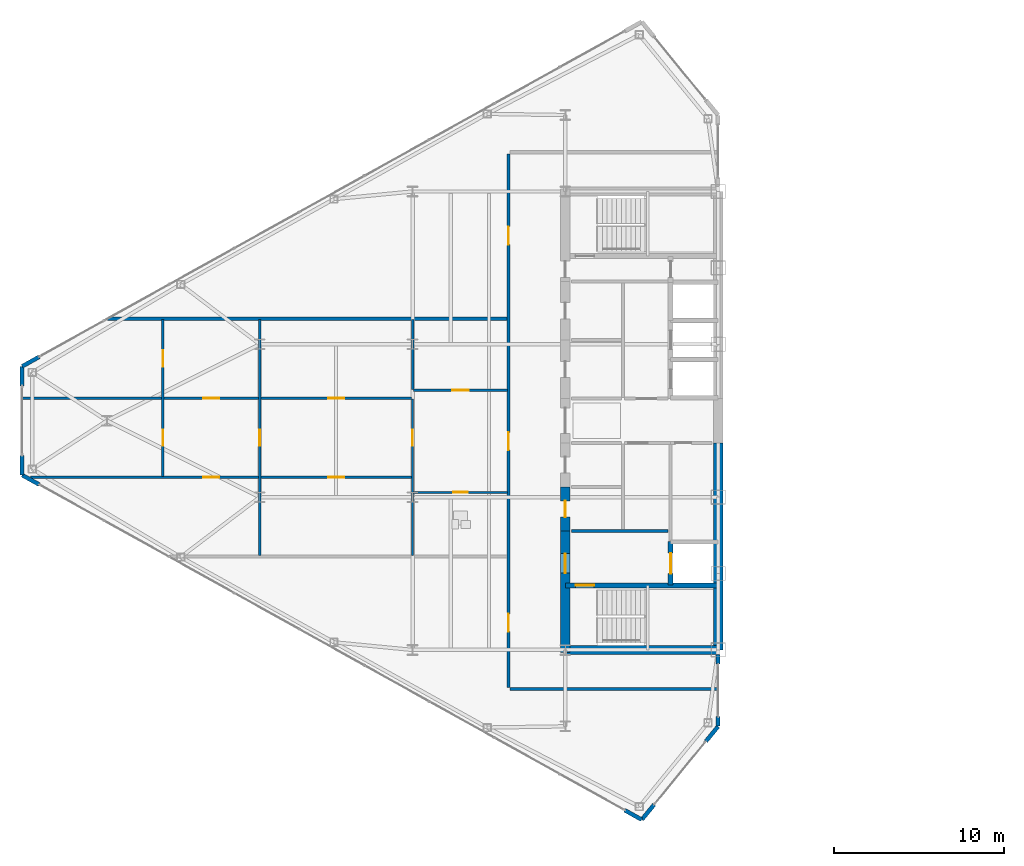
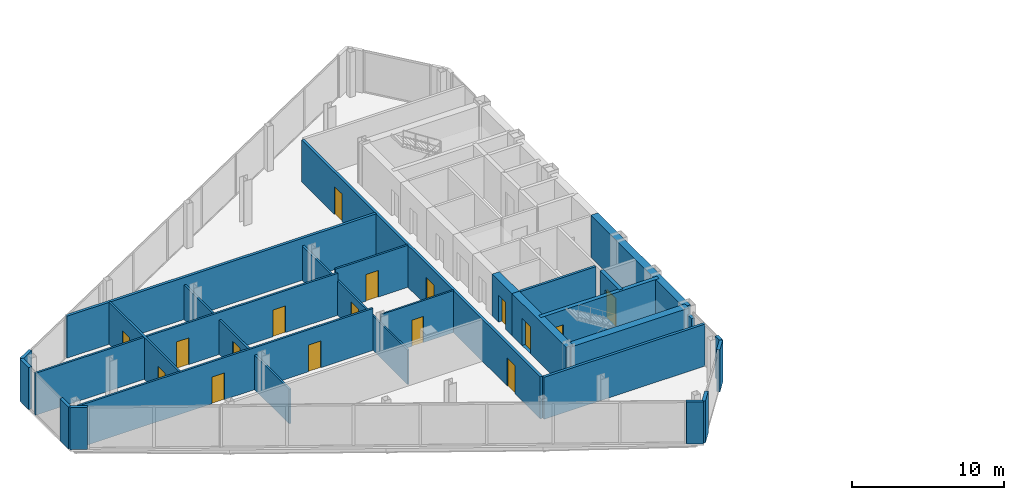
# One storey, part 19 of 26: 27 walls, 17 doors, 17 openings.
"""IFC4 building model written with IfcOpenShell, lengths in metres."""

from ifc_helpers import new_model, si_unit, direction, frame, frame_2d, origin, place, context, subcontext, project, spatial, rectangle, extrude, source, transform, mapped, material, layer, layer_set, type_object, type_shapes, element, fill, save


model = new_model("IFC4")

# Units and contexts
model_context = context("Model", 3, precision=1e-05, world=origin(), true_north=direction((0.0, 1.0)))
body_context = subcontext(model_context, "Body", "Model", "MODEL_VIEW")
ifc_project = project(units=[si_unit("LENGTHUNIT", "METRE"), si_unit("AREAUNIT", "SQUARE_METRE"), si_unit("VOLUMEUNIT", "CUBIC_METRE"), si_unit("PLANEANGLEUNIT", "RADIAN"), si_unit("MASSUNIT", "GRAM", prefix="KILO")], contexts=[model_context])

# Site, building, storey
site_placement = place(None, origin())
site = spatial("IfcSite", under=ifc_project, at=site_placement, CompositionType="ELEMENT")
building_placement = place(site_placement, origin())
building = spatial("IfcBuilding", under=site, at=building_placement, Name="Seokmaru Belvedere", CompositionType="ELEMENT")
storey_placement = place(building_placement, frame((0.0, 0.0, 167.10009765625)))
storey = spatial("IfcBuildingStorey", under=building, at=storey_placement, Name="L44", CompositionType="ELEMENT", Elevation=167.10009765625)

# Wall, openings, doors
ifc_material_1 = material(Name="Fire-Rated Gypsum Shaftwall")
ifc_layer_1 = layer(ifc_material_1, 0.14990234375)
ifc_layer_set_1 = layer_set([ifc_layer_1], Name="Fire-Rated Gypsum Shaftwall")
wall_type_1 = type_object("IfcWallType", Name="Apartment Fire-Acoustic Room Partition 150", PredefinedType="PARTITIONING", material=ifc_layer_set_1)
wall_1_placement = place(storey_placement, frame((-68.00927734375, -3.330078125, 0.0), z_axis=(0.0, 0.0, 1.0), x_axis=(1.0, 0.0, 0.0)))
wall_1 = element("IfcWall", 1, at=wall_1_placement, inside=storey, type_object=wall_type_1, Name="L44 Interior Partition 010", PredefinedType="PARTITIONING", context=body_context, shape_type="SweptSolid", body=[
    extrude(rectangle(XDim=22.459228515625, YDim=0.14990234375, at=frame_2d((11.2294921875, 0.0))), origin(), (0.0, 0.0, 1.0), 3.3798828125),
])
opening_1_placement = place(wall_1_placement, frame((17.5341796875, 0.0, 0.0)))
opening_1 = element("IfcOpeningElement", 2, at=opening_1_placement, cuts=wall_1, Name="Opening D05", PredefinedType="OPENING", context=body_context, shape_type="SweptSolid", body=[
    extrude(rectangle(XDim=0.949951171875, YDim=2.14990234375, at=frame_2d((0.47509765625, 1.074951171875))), frame((0.0, 0.0849609375, 0.0), z_axis=(0.0, -1.0, 0.0), x_axis=(1.0, 0.0, 0.0)), (0.0, 0.0, 1.0), 0.169921875),
])
opening_2_placement = place(wall_1_placement, frame((10.18408203125, 0.0, 0.0)))
opening_2 = element("IfcOpeningElement", 3, at=opening_2_placement, cuts=wall_1, Name="Opening D05", PredefinedType="OPENING", context=body_context, shape_type="SweptSolid", body=[
    extrude(rectangle(XDim=0.949951171875, YDim=2.14990234375, at=frame_2d((0.47509765625, 1.074951171875))), frame((0.0, 0.0849609375, 0.0), z_axis=(0.0, -1.0, 0.0), x_axis=(1.0, 0.0, 0.0)), (0.0, 0.0, 1.0), 0.169921875),
])
ifc_material_2 = material(Name="Engineered White Oak Timber", Category="wood")
door_type_1 = type_object("IfcDoorType", Name="Apartment Interior Fire-Rated Oak Door 950x2150", OperationType="NOTDEFINED", PredefinedType="DOOR", material=ifc_material_2)
shared_shape_1 = source(origin(), body_context, "Body", "SweptSolid", [
    extrude(rectangle(XDim=0.949951171875, YDim=2.14990234375, at=frame_2d((0.47509765625, 1.074951171875))), frame((0.0, 0.02490234375, 0.0), z_axis=(0.0, -1.0, 0.0), x_axis=(1.0, 0.0, 0.0)), (0.0, 0.0, 1.0), 0.050048828125),
])
type_shapes(door_type_1, [shared_shape_1])
door_1_placement = place(opening_1_placement, origin())
door_1 = element("IfcDoor", 4, at=door_1_placement, inside=storey, type_object=door_type_1, Name="L44 Interior Door 007", OperationType="SINGLE_SWING_LEFT", OverallHeight=2.14990234375, OverallWidth=0.949951171875, PredefinedType="DOOR", context=body_context, shape_type="MappedRepresentation", body=[
    mapped(shared_shape_1, transform((0.0, 0.0, 0.0), scale=1.0)),
])
fill(opening_1, door_1)
door_2_placement = place(opening_2_placement, origin())
door_2 = element("IfcDoor", 5, at=door_2_placement, inside=storey, type_object=door_type_1, Name="L44 Interior Door 009", OperationType="SINGLE_SWING_LEFT", OverallHeight=2.14990234375, OverallWidth=0.949951171875, PredefinedType="DOOR", context=body_context, shape_type="MappedRepresentation", body=[
    mapped(shared_shape_1, transform((0.0, 0.0, 0.0), scale=1.0)),
])
fill(opening_2, door_2)

wall_2_placement = place(storey_placement, frame((-68.534912109375, 1.330078125, 0.0), z_axis=(0.0, 0.0, 1.0), x_axis=(1.0, 0.0, 0.0)))
wall_2 = element("IfcWall", 6, at=wall_2_placement, inside=storey, type_object=wall_type_1, Name="L44 Interior Partition 013", PredefinedType="PARTITIONING", context=body_context, shape_type="SweptSolid", body=[
    extrude(rectangle(XDim=22.98486328125, YDim=0.14990234375, at=frame_2d((11.492431640625, 0.0))), origin(), (0.0, 0.0, 1.0), 3.3798828125),
])
opening_3_placement = place(wall_2_placement, frame((18.06005859375, 0.0, 0.0)))
opening_3 = element("IfcOpeningElement", 7, at=opening_3_placement, cuts=wall_2, Name="Opening D05", PredefinedType="OPENING", context=body_context, shape_type="SweptSolid", body=[
    extrude(rectangle(XDim=0.949951171875, YDim=2.14990234375, at=frame_2d((0.47509765625, 1.074951171875))), frame((0.0, 0.0849609375, 0.0), z_axis=(0.0, -1.0, 0.0), x_axis=(1.0, 0.0, 0.0)), (0.0, 0.0, 1.0), 0.169921875),
])
opening_4_placement = place(wall_2_placement, frame((10.7099609375, 0.0, 0.0)))
opening_4 = element("IfcOpeningElement", 8, at=opening_4_placement, cuts=wall_2, Name="Opening D05", PredefinedType="OPENING", context=body_context, shape_type="SweptSolid", body=[
    extrude(rectangle(XDim=0.949951171875, YDim=2.14990234375, at=frame_2d((0.47509765625, 1.074951171875))), frame((0.0, 0.0849609375, 0.0), z_axis=(0.0, -1.0, 0.0), x_axis=(1.0, 0.0, 0.0)), (0.0, 0.0, 1.0), 0.169921875),
])
door_3_placement = place(opening_3_placement, origin())
door_3 = element("IfcDoor", 9, at=door_3_placement, inside=storey, type_object=door_type_1, Name="L44 Interior Door 008", OperationType="SINGLE_SWING_RIGHT", OverallHeight=2.14990234375, OverallWidth=0.949951171875, PredefinedType="DOOR", context=body_context, shape_type="MappedRepresentation", body=[
    mapped(shared_shape_1, transform((0.0, 0.0, 0.0), scale=1.0)),
])
fill(opening_3, door_3)
door_4_placement = place(opening_4_placement, origin())
door_4 = element("IfcDoor", 10, at=door_4_placement, inside=storey, type_object=door_type_1, Name="L44 Interior Door 011", OperationType="SINGLE_SWING_LEFT", OverallHeight=2.14990234375, OverallWidth=0.949951171875, PredefinedType="DOOR", context=body_context, shape_type="MappedRepresentation", body=[
    mapped(shared_shape_1, transform((0.0, 0.0, 0.0), scale=1.0)),
])
fill(opening_4, door_4)

# Wall, opening, door
wall_3_placement = place(storey_placement, frame((-45.449951171875, 1.800048828125, 0.0), z_axis=(0.0, 0.0, 1.0), x_axis=(1.0, 0.0, 0.0)))
wall_3 = element("IfcWall", 11, at=wall_3_placement, inside=storey, type_object=wall_type_1, Name="L44 Interior Partition 014", PredefinedType="PARTITIONING", context=body_context, shape_type="SweptSolid", body=[
    extrude(rectangle(XDim=5.550048828125, YDim=0.14990234375, at=frame_2d((2.77490234375, 0.0))), origin(), (0.0, 0.0, 1.0), 3.3798828125),
])
opening_5_placement = place(wall_3_placement, frame((2.300048828125, 0.0, 0.0)))
opening_5 = element("IfcOpeningElement", 12, at=opening_5_placement, cuts=wall_3, Name="Opening D05", PredefinedType="OPENING", context=body_context, shape_type="SweptSolid", body=[
    extrude(rectangle(XDim=0.949951171875, YDim=2.14990234375, at=frame_2d((0.47509765625, 1.074951171875))), frame((0.0, 0.0849609375, 0.0), z_axis=(0.0, -1.0, 0.0), x_axis=(1.0, 0.0, 0.0)), (0.0, 0.0, 1.0), 0.169921875),
])
door_5_placement = place(opening_5_placement, origin())
door_5 = element("IfcDoor", 13, at=door_5_placement, inside=storey, type_object=door_type_1, Name="L44 Interior Door 004", OperationType="SINGLE_SWING_LEFT", OverallHeight=2.14990234375, OverallWidth=0.949951171875, PredefinedType="DOOR", context=body_context, shape_type="MappedRepresentation", body=[
    mapped(shared_shape_1, transform((0.0, 0.0, 0.0), scale=1.0)),
])
fill(opening_5, door_5)

# Wall, openings, doors
wall_4_placement = place(storey_placement, frame((-60.199951171875, -3.282958984375, 0.0), z_axis=(0.0, 0.0, 1.0), x_axis=(0.0, 1.0, 0.0)))
wall_4 = element("IfcWall", 14, at=wall_4_placement, inside=storey, type_object=wall_type_1, Name="L44 Interior Partition 021", PredefinedType="PARTITIONING", context=body_context, shape_type="SweptSolid", body=[
    extrude(rectangle(XDim=9.23291015625, YDim=0.14990234375, at=frame_2d((4.616455078125, 0.0))), origin(), (0.0, 0.0, 1.0), 3.3798828125),
])
opening_6_placement = place(wall_4_placement, frame((1.80810546875, 0.0, 0.0)))
opening_6 = element("IfcOpeningElement", 15, at=opening_6_placement, cuts=wall_4, Name="Opening D05", PredefinedType="OPENING", context=body_context, shape_type="SweptSolid", body=[
    extrude(rectangle(XDim=0.949951171875, YDim=2.14990234375, at=frame_2d((0.47509765625, 1.074951171875))), frame((0.0, 0.0849609375, 0.0), z_axis=(0.0, -1.0, 0.0), x_axis=(1.0, 0.0, 0.0)), (0.0, 0.0, 1.0), 0.169921875),
])
opening_7_placement = place(wall_4_placement, frame((6.474609375, 0.0, 0.0)))
opening_7 = element("IfcOpeningElement", 16, at=opening_7_placement, cuts=wall_4, Name="Opening D05", PredefinedType="OPENING", context=body_context, shape_type="SweptSolid", body=[
    extrude(rectangle(XDim=0.949951171875, YDim=2.14990234375, at=frame_2d((0.47509765625, 1.074951171875))), frame((0.0, 0.0849609375, 0.0), z_axis=(0.0, -1.0, 0.0), x_axis=(1.0, 0.0, 0.0)), (0.0, 0.0, 1.0), 0.169921875),
])
door_6_placement = place(opening_6_placement, origin())
door_6 = element("IfcDoor", 17, at=door_6_placement, inside=storey, type_object=door_type_1, Name="L44 Interior Door 010", OperationType="SINGLE_SWING_RIGHT", OverallHeight=2.14990234375, OverallWidth=0.949951171875, PredefinedType="DOOR", context=body_context, shape_type="MappedRepresentation", body=[
    mapped(shared_shape_1, transform((0.0, 0.0, 0.0), scale=1.0)),
])
fill(opening_6, door_6)
door_7_placement = place(opening_7_placement, origin())
door_7 = element("IfcDoor", 18, at=door_7_placement, inside=storey, type_object=door_type_1, Name="L44 Interior Door 012", OperationType="SINGLE_SWING_RIGHT", OverallHeight=2.14990234375, OverallWidth=0.949951171875, PredefinedType="DOOR", context=body_context, shape_type="MappedRepresentation", body=[
    mapped(shared_shape_1, transform((0.0, 0.0, 0.0), scale=1.0)),
])
fill(opening_7, door_7)

# Wall, opening, door
wall_5_placement = place(storey_placement, frame((-54.5, -7.949951171875, 0.0), z_axis=(0.0, 0.0, 1.0), x_axis=(0.0, 1.0, 0.0)))
wall_5 = element("IfcWall", 19, at=wall_5_placement, inside=storey, type_object=wall_type_1, Name="L44 Interior Partition 022", PredefinedType="PARTITIONING", context=body_context, shape_type="SweptSolid", body=[
    extrude(rectangle(XDim=13.89990234375, YDim=0.14990234375, at=frame_2d((6.949951171875, 0.0))), origin(), (0.0, 0.0, 1.0), 2.77978515625),
])
opening_8_placement = place(wall_5_placement, frame((6.47509765625, 0.0, 0.0)))
opening_8 = element("IfcOpeningElement", 20, at=opening_8_placement, cuts=wall_5, Name="Opening D05", PredefinedType="OPENING", context=body_context, shape_type="SweptSolid", body=[
    extrude(rectangle(XDim=0.949951171875, YDim=2.14990234375, at=frame_2d((0.47509765625, 1.074951171875))), frame((0.0, 0.0849609375, 0.0), z_axis=(0.0, -1.0, 0.0), x_axis=(1.0, 0.0, 0.0)), (0.0, 0.0, 1.0), 0.169921875),
])
door_8_placement = place(opening_8_placement, origin())
door_8 = element("IfcDoor", 21, at=door_8_placement, inside=storey, type_object=door_type_1, Name="L44 Interior Door 006", OperationType="SINGLE_SWING_RIGHT", OverallHeight=2.14990234375, OverallWidth=0.949951171875, PredefinedType="DOOR", context=body_context, shape_type="MappedRepresentation", body=[
    mapped(shared_shape_1, transform((0.0, 0.0, 0.0), scale=1.0)),
])
fill(opening_8, door_8)

# Walls
wall_6_placement = place(storey_placement, frame((-45.5, 1.85205078125, 0.0), z_axis=(0.0, 0.0, 1.0), x_axis=(0.0, 1.0, 0.0)))
element("IfcWall", 22, at=wall_6_placement, inside=storey, type_object=wall_type_1, Name="L44 Interior Partition 024", PredefinedType="PARTITIONING", context=body_context, shape_type="SweptSolid", body=[
    extrude(rectangle(XDim=4.097900390625, YDim=0.14990234375, at=frame_2d((2.048828125, 0.0))), origin(), (0.0, 0.0, 1.0), 2.77978515625),
])
ifc_layer_2 = layer(ifc_material_1, 0.179931640625)
ifc_layer_set_2 = layer_set([ifc_layer_2], Name="Fire-Rated Gypsum Shaftwall")
wall_type_2 = type_object("IfcWallType", Name="Core Service Fire Partition 180", PredefinedType="PARTITIONING", material=ifc_layer_set_2)
wall_7_placement = place(storey_placement, frame((-36.14990234375, -6.5, 0.0), z_axis=(0.0, 0.0, 1.0), x_axis=(1.0, 0.0, 0.0)))
element("IfcWall", 23, at=wall_7_placement, inside=storey, type_object=wall_type_2, Name="L44 West Firefighting Lobby Partition", PredefinedType="PARTITIONING", context=body_context, shape_type="SweptSolid", body=[
    extrude(rectangle(XDim=5.699951171875, YDim=0.179931640625, at=frame_2d((2.85009765625, 0.0))), origin(), (0.0, 0.0, 1.0), 3.3798828125),
])
ifc_layer_3 = layer(ifc_material_1, 0.199951171875)
ifc_layer_set_3 = layer_set([ifc_layer_3], Name="Fire-Rated Gypsum Shaftwall")
wall_type_3 = type_object("IfcWallType", Name="Inter-Tenancy Fire Compartment Partition 200", PredefinedType="PARTITIONING", material=ifc_layer_set_3)
wall_8_placement = place(storey_placement, frame((-39.764892578125, -15.800048828125, 0.0), z_axis=(0.0, 0.0, 1.0), x_axis=(1.0, 0.0, 0.0)))
element("IfcWall", 24, at=wall_8_placement, inside=storey, type_object=wall_type_3, Name="L44 Interior Partition 001", PredefinedType="PARTITIONING", context=body_context, shape_type="SweptSolid", body=[
    extrude(rectangle(XDim=12.264892578125, YDim=0.199951171875, at=frame_2d((6.13232421875, 0.0))), origin(), (0.0, 0.0, 1.0), 3.3798828125),
])
wall_9_placement = place(storey_placement, frame((-63.47607421875, 6.0, 0.0), z_axis=(0.0, 0.0, 1.0), x_axis=(1.0, 0.0, 0.0)))
element("IfcWall", 25, at=wall_9_placement, inside=storey, type_object=wall_type_3, Name="L44 Interior Partition 017", PredefinedType="PARTITIONING", context=body_context, shape_type="SweptSolid", body=[
    extrude(rectangle(XDim=23.546142578125, YDim=0.199951171875, at=frame_2d((11.77294921875, 0.0))), origin(), (0.0, 0.0, 1.0), 3.3798828125),
])

# Wall, openings, doors
wall_10_placement = place(storey_placement, frame((-39.85009765625, -15.715087890625, 0.0), z_axis=(0.0, 0.0, 1.0), x_axis=(0.0, 1.0, 0.0)))
wall_10 = element("IfcWall", 26, at=wall_10_placement, inside=storey, type_object=wall_type_3, Name="L44 Interior Partition 025", PredefinedType="PARTITIONING", context=body_context, shape_type="SweptSolid", body=[
    extrude(rectangle(XDim=31.43017578125, YDim=0.199951171875, at=frame_2d((15.715087890625, 0.0))), origin(), (0.0, 0.0, 1.0), 3.3798828125),
])
opening_9_placement = place(wall_10_placement, frame((3.2900390625, 0.0, 0.0)))
opening_9 = element("IfcOpeningElement", 27, at=opening_9_placement, cuts=wall_10, Name="Opening D03", PredefinedType="OPENING", context=body_context, shape_type="SweptSolid", body=[
    extrude(rectangle(XDim=1.050048828125, YDim=2.25, at=frame_2d((0.52490234375, 1.125))), frame((0.0, 0.10986328125, 0.0), z_axis=(0.0, -1.0, 0.0), x_axis=(1.0, 0.0, 0.0)), (0.0, 0.0, 1.0), 0.219970703125),
])
opening_10_placement = place(wall_10_placement, frame((13.97998046875, 0.0, 0.0)))
opening_10 = element("IfcOpeningElement", 28, at=opening_10_placement, cuts=wall_10, Name="Opening D03", PredefinedType="OPENING", context=body_context, shape_type="SweptSolid", body=[
    extrude(rectangle(XDim=1.050048828125, YDim=2.25, at=frame_2d((0.52490234375, 1.125))), frame((0.0, 0.10986328125, 0.0), z_axis=(0.0, -1.0, 0.0), x_axis=(1.0, 0.0, 0.0)), (0.0, 0.0, 1.0), 0.219970703125),
])
opening_11_placement = place(wall_10_placement, frame((26.090087890625, 0.0, 0.0)))
opening_11 = element("IfcOpeningElement", 29, at=opening_11_placement, cuts=wall_10, Name="Opening D03", PredefinedType="OPENING", context=body_context, shape_type="SweptSolid", body=[
    extrude(rectangle(XDim=1.050048828125, YDim=2.25, at=frame_2d((0.52490234375, 1.125))), frame((0.0, 0.10986328125, 0.0), z_axis=(0.0, -1.0, 0.0), x_axis=(1.0, 0.0, 0.0)), (0.0, 0.0, 1.0), 0.219970703125),
])
ifc_material_3 = material(Name="Fire-Rated Steel Leaf", Category="steel")
door_type_2 = type_object("IfcDoorType", Name="Apartment Entrance Fire Door 1050x2250", OperationType="NOTDEFINED", PredefinedType="DOOR", material=ifc_material_3)
shared_shape_2 = source(origin(), body_context, "Body", "SweptSolid", [
    extrude(rectangle(XDim=1.050048828125, YDim=2.25, at=frame_2d((0.52490234375, 1.125))), frame((0.0, 0.02490234375, 0.0), z_axis=(0.0, -1.0, 0.0), x_axis=(1.0, 0.0, 0.0)), (0.0, 0.0, 1.0), 0.050048828125),
])
type_shapes(door_type_2, [shared_shape_2])
door_9_placement = place(opening_9_placement, origin())
door_9 = element("IfcDoor", 30, at=door_9_placement, inside=storey, type_object=door_type_2, Name="L44 Interior Door 001", OperationType="SINGLE_SWING_RIGHT", OverallHeight=2.25, OverallWidth=1.050048828125, PredefinedType="DOOR", context=body_context, shape_type="MappedRepresentation", body=[
    mapped(shared_shape_2, transform((0.0, 0.0, 0.0), scale=1.0)),
])
fill(opening_9, door_9)
door_10_placement = place(opening_10_placement, origin())
door_10 = element("IfcDoor", 31, at=door_10_placement, inside=storey, type_object=door_type_2, Name="L44 Interior Door 002", OperationType="SINGLE_SWING_LEFT", OverallHeight=2.25, OverallWidth=1.050048828125, PredefinedType="DOOR", context=body_context, shape_type="MappedRepresentation", body=[
    mapped(shared_shape_2, transform((0.0, 0.0, 0.0), scale=1.0)),
])
fill(opening_10, door_10)
door_11_placement = place(opening_11_placement, origin())
door_11 = element("IfcDoor", 32, at=door_11_placement, inside=storey, type_object=door_type_2, Name="L44 Interior Door 013", OperationType="SINGLE_SWING_RIGHT", OverallHeight=2.25, OverallWidth=1.050048828125, PredefinedType="DOOR", context=body_context, shape_type="MappedRepresentation", body=[
    mapped(shared_shape_2, transform((0.0, 0.0, 0.0), scale=1.0)),
])
fill(opening_11, door_11)

# Wall, opening, door
ifc_material_4 = material(Name="Concrete C50 (50 MPa)", Category="concrete")
ifc_layer_4 = layer(ifc_material_4, 0.300048828125)
ifc_layer_set_4 = layer_set([ifc_layer_4], Name="Concrete C50 (50 MPa)")
wall_type_4 = type_object("IfcWallType", Name="Internal Core Stair and Hoistway Wall 300", PredefinedType="SHEAR", material=ifc_layer_set_4)
wall_11_placement = place(storey_placement, frame((-36.5, -9.699951171875, 0.0), z_axis=(0.0, 0.0, 1.0), x_axis=(1.0, 0.0, 0.0)))
wall_11 = element("IfcWall", 33, at=wall_11_placement, inside=storey, type_object=wall_type_4, Name="L44 West Stair ST-1 Enclosure Wall", PredefinedType="SHEAR", context=body_context, shape_type="SweptSolid", body=[
    extrude(rectangle(XDim=9.0, YDim=0.300048828125, at=frame_2d((4.5, 0.0))), origin(), (0.0, 0.0, 1.0), 3.3798828125),
])
opening_12_placement = place(wall_11_placement, frame((0.60009765625, 0.0, 0.0)))
opening_12 = element("IfcOpeningElement", 34, at=opening_12_placement, cuts=wall_11, Name="Opening D01", PredefinedType="OPENING", context=body_context, shape_type="SweptSolid", body=[
    extrude(rectangle(XDim=1.10009765625, YDim=2.199951171875, at=frame_2d((0.550048828125, 1.10009765625))), frame((0.0, 0.16015625, 0.0), z_axis=(0.0, -1.0, 0.0), x_axis=(1.0, 0.0, 0.0)), (0.0, 0.0, 1.0), 0.320068359375),
])
door_type_3 = type_object("IfcDoorType", Name="Special Escape Stair Smokeproof Fire Door 1100x2200", OperationType="NOTDEFINED", PredefinedType="DOOR", material=ifc_material_3)
shared_shape_3 = source(origin(), body_context, "Body", "SweptSolid", [
    extrude(rectangle(XDim=1.10009765625, YDim=2.199951171875, at=frame_2d((0.550048828125, 1.10009765625))), frame((0.0, 0.02490234375, 0.0), z_axis=(0.0, -1.0, 0.0), x_axis=(1.0, 0.0, 0.0)), (0.0, 0.0, 1.0), 0.050048828125),
])
type_shapes(door_type_3, [shared_shape_3])
door_12_placement = place(opening_12_placement, frame((1.10009765625, 0.0, 0.0), z_axis=(0.0, 0.0, 1.0), x_axis=(-1.0, 0.0, 0.0)))
door_12 = element("IfcDoor", 35, at=door_12_placement, inside=storey, type_object=door_type_3, Name="L44 West Special Escape Stair ST-1 Door", OperationType="SINGLE_SWING_LEFT", OverallHeight=2.199951171875, OverallWidth=1.10009765625, PredefinedType="DOOR", context=body_context, shape_type="MappedRepresentation", body=[
    mapped(shared_shape_3, transform((0.0, 0.0, 0.0), scale=1.0)),
])
fill(opening_12, door_12)

wall_12_placement = place(storey_placement, frame((-30.300048828125, -9.679931640625, 0.0), z_axis=(0.0, 0.0, 1.0), x_axis=(0.0, 1.0, 0.0)))
wall_12 = element("IfcWall", 36, at=wall_12_placement, inside=storey, type_object=wall_type_4, Name="L44 West Firefighting Lift Shaft Front Wall", PredefinedType="SHEAR", context=body_context, shape_type="SweptSolid", body=[
    extrude(rectangle(XDim=2.559814453125, YDim=0.300048828125, at=frame_2d((1.27978515625, 0.0))), origin(), (0.0, 0.0, 1.0), 3.3798828125),
])
opening_13_placement = place(wall_12_placement, frame((0.679931640625, 0.0, 0.0)))
opening_13 = element("IfcOpeningElement", 37, at=opening_13_placement, cuts=wall_12, Name="Opening LD2", PredefinedType="OPENING", context=body_context, shape_type="SweptSolid", body=[
    extrude(rectangle(XDim=1.199951171875, YDim=2.25, at=frame_2d((0.60009765625, 1.125))), frame((0.0, 0.16015625, 0.0), z_axis=(0.0, -1.0, 0.0), x_axis=(1.0, 0.0, 0.0)), (0.0, 0.0, 1.0), 0.320068359375),
])
ifc_material_5 = material(Name="Stainless Steel 316", Category="steel")
door_type_4 = type_object("IfcDoorType", Name="Firefighting Lift Sliding Landing Door 1200x2250", OperationType="DOUBLE_DOOR_SLIDING", PredefinedType="DOOR", material=ifc_material_5)
shared_shape_4 = source(origin(), body_context, "Body", "SweptSolid", [
    extrude(rectangle(XDim=1.199951171875, YDim=2.25, at=frame_2d((0.60009765625, 1.125))), frame((0.0, 0.02490234375, 0.0), z_axis=(0.0, -1.0, 0.0), x_axis=(1.0, 0.0, 0.0)), (0.0, 0.0, 1.0), 0.050048828125),
])
type_shapes(door_type_4, [shared_shape_4])
door_13_placement = place(opening_13_placement, origin())
door_13 = element("IfcDoor", 38, at=door_13_placement, inside=storey, type_object=door_type_4, Name="L44 West Firefighting Lift Landing Door", OperationType="DOUBLE_DOOR_SLIDING", OverallHeight=2.25, OverallWidth=1.199951171875, PredefinedType="DOOR", context=body_context, shape_type="MappedRepresentation", body=[
    mapped(shared_shape_4, transform((0.0, 0.0, 0.0), scale=1.0)),
])
fill(opening_13, door_13)

# Walls
ifc_layer_5 = layer(ifc_material_4, 0.550048828125)
ifc_layer_set_5 = layer_set([ifc_layer_5], Name="Concrete C50 (50 MPa)")
wall_type_5 = type_object("IfcWallType", Name="Mid-High Reinforced Concrete Core Wall 550", PredefinedType="SHEAR", material=ifc_layer_set_5)
wall_13_placement = place(storey_placement, frame((-27.5, -13.5, 0.0), z_axis=(0.0, 0.0, 1.0), x_axis=(0.0, 1.0, 0.0)))
element("IfcWall", 39, at=wall_13_placement, inside=storey, type_object=wall_type_5, Name="L44 West Portal Spine Core Wall South", PredefinedType="SHEAR", context=body_context, shape_type="SweptSolid", body=[
    extrude(rectangle(XDim=12.199951171875, YDim=0.550048828125, at=frame_2d((6.10009765625, 0.0))), origin(), (0.0, 0.0, 1.0), 3.3798828125),
])
wall_14_placement = place(storey_placement, frame((-36.5, -13.5, 0.0), z_axis=(0.0, 0.0, 1.0), x_axis=(1.0, 0.0, 0.0)))
element("IfcWall", 40, at=wall_14_placement, inside=storey, type_object=wall_type_5, Name="L44 West South Core Wall", PredefinedType="SHEAR", context=body_context, shape_type="SweptSolid", body=[
    extrude(rectangle(XDim=9.0, YDim=0.550048828125, at=frame_2d((4.5, 0.0))), origin(), (0.0, 0.0, 1.0), 3.3798828125),
])

# Wall, opening, door
wall_15_placement = place(storey_placement, frame((-36.5, -13.64990234375, 0.0), z_axis=(0.0, 0.0, 1.0), x_axis=(0.0, 1.0, 0.0)))
wall_15 = element("IfcWall", 41, at=wall_15_placement, inside=storey, type_object=wall_type_5, Name="L44 West West Core Wall FF", PredefinedType="SHEAR", context=body_context, shape_type="SweptSolid", body=[
    extrude(rectangle(XDim=7.14990234375, YDim=0.550048828125, at=frame_2d((3.574951171875, 0.0))), origin(), (0.0, 0.0, 1.0), 3.3798828125),
])
opening_14_placement = place(wall_15_placement, frame((4.675048828125, 0.0, 0.0)))
opening_14 = element("IfcOpeningElement", 42, at=opening_14_placement, cuts=wall_15, Name="Opening D02", PredefinedType="OPENING", context=body_context, shape_type="SweptSolid", body=[
    extrude(rectangle(XDim=1.14990234375, YDim=2.199951171875, at=frame_2d((0.574951171875, 1.10009765625))), frame((0.0, 0.28515625, 0.0), z_axis=(0.0, -1.0, 0.0), x_axis=(1.0, 0.0, 0.0)), (0.0, 0.0, 1.0), 0.570068359375),
])
door_type_5 = type_object("IfcDoorType", Name="Lobby and Vestibule Fire Door 1150x2200", OperationType="NOTDEFINED", PredefinedType="DOOR", material=ifc_material_3)
shared_shape_5 = source(origin(), body_context, "Body", "SweptSolid", [
    extrude(rectangle(XDim=1.14990234375, YDim=2.199951171875, at=frame_2d((0.574951171875, 1.10009765625))), frame((0.0, 0.02490234375, 0.0), z_axis=(0.0, -1.0, 0.0), x_axis=(1.0, 0.0, 0.0)), (0.0, 0.0, 1.0), 0.050048828125),
])
type_shapes(door_type_5, [shared_shape_5])
door_14_placement = place(opening_14_placement, frame((1.14990234375, 0.0, 0.0), z_axis=(0.0, 0.0, 1.0), x_axis=(-1.0, 0.0, 0.0)))
door_14 = element("IfcDoor", 43, at=door_14_placement, inside=storey, type_object=door_type_5, Name="L44 West Firefighting Lobby Door", OperationType="SINGLE_SWING_LEFT", OverallHeight=2.199951171875, OverallWidth=1.14990234375, PredefinedType="DOOR", context=body_context, shape_type="MappedRepresentation", body=[
    mapped(shared_shape_5, transform((0.0, 0.0, 0.0), scale=1.0)),
])
fill(opening_14, door_14)

wall_16_placement = place(storey_placement, frame((-36.5, -6.5, 0.0), z_axis=(0.0, 0.0, 1.0), x_axis=(0.0, 1.0, 0.0)))
wall_16 = element("IfcWall", 44, at=wall_16_placement, inside=storey, type_object=wall_type_5, Name="L44 West West Core Wall CS1", PredefinedType="SHEAR", context=body_context, shape_type="SweptSolid", body=[
    extrude(rectangle(XDim=2.60009765625, YDim=0.550048828125, at=frame_2d((1.300048828125, 0.0))), origin(), (0.0, 0.0, 1.0), 3.3798828125),
])
opening_15_placement = place(wall_16_placement, frame((0.824951171875, 0.0, 0.0)))
opening_15 = element("IfcOpeningElement", 45, at=opening_15_placement, cuts=wall_16, Name="Opening D04", PredefinedType="OPENING", context=body_context, shape_type="SweptSolid", body=[
    extrude(rectangle(XDim=0.949951171875, YDim=2.14990234375, at=frame_2d((0.47509765625, 1.074951171875))), frame((0.0, 0.28515625, 0.0), z_axis=(0.0, -1.0, 0.0), x_axis=(1.0, 0.0, 0.0)), (0.0, 0.0, 1.0), 0.570068359375),
])
door_type_6 = type_object("IfcDoorType", Name="Core Service Room Fire Door 950x2150", OperationType="NOTDEFINED", PredefinedType="DOOR", material=ifc_material_3)
shared_shape_6 = source(origin(), body_context, "Body", "SweptSolid", [
    extrude(rectangle(XDim=0.949951171875, YDim=2.14990234375, at=frame_2d((0.47509765625, 1.074951171875))), frame((0.0, 0.02490234375, 0.0), z_axis=(0.0, -1.0, 0.0), x_axis=(1.0, 0.0, 0.0)), (0.0, 0.0, 1.0), 0.050048828125),
])
type_shapes(door_type_6, [shared_shape_6])
door_15_placement = place(opening_15_placement, origin())
door_15 = element("IfcDoor", 46, at=door_15_placement, inside=storey, type_object=door_type_6, Name="L44 West Core Service Room Door 1", OperationType="SINGLE_SWING_LEFT", OverallHeight=2.14990234375, OverallWidth=0.949951171875, PredefinedType="DOOR", context=body_context, shape_type="MappedRepresentation", body=[
    mapped(shared_shape_6, transform((0.0, 0.0, 0.0), scale=1.0)),
])
fill(opening_15, door_15)

ifc_layer_6 = layer(ifc_material_1, 0.1298828125)
ifc_layer_set_6 = layer_set([ifc_layer_6], Name="Fire-Rated Gypsum Shaftwall")
wall_type_6 = type_object("IfcWallType", Name="Moisture-Resistant Fire-Rated Bathroom Partition 130", PredefinedType="PARTITIONING", material=ifc_layer_set_6)
wall_17_placement = place(storey_placement, frame((-45.449951171875, -4.219970703125, 0.0), z_axis=(0.0, 0.0, 1.0), x_axis=(1.0, 0.0, 0.0)))
wall_17 = element("IfcWall", 47, at=wall_17_placement, inside=storey, type_object=wall_type_6, Name="L44 Interior Partition 009", PredefinedType="PARTITIONING", context=body_context, shape_type="SweptSolid", body=[
    extrude(rectangle(XDim=5.550048828125, YDim=0.1298828125, at=frame_2d((2.77490234375, 0.0))), origin(), (0.0, 0.0, 1.0), 3.3798828125),
])
opening_16_placement = place(wall_17_placement, frame((2.3349609375, 0.0, 0.0)))
opening_16 = element("IfcOpeningElement", 48, at=opening_16_placement, cuts=wall_17, Name="Opening D06", PredefinedType="OPENING", context=body_context, shape_type="SweptSolid", body=[
    extrude(rectangle(XDim=0.8798828125, YDim=2.10009765625, at=frame_2d((0.43994140625, 1.050048828125))), frame((0.0, 0.074951171875, 0.0), z_axis=(0.0, -1.0, 0.0), x_axis=(1.0, 0.0, 0.0)), (0.0, 0.0, 1.0), 0.14990234375),
])
door_type_7 = type_object("IfcDoorType", Name="Bathroom and Restroom Fire-Rated Door 880x2100", OperationType="NOTDEFINED", PredefinedType="DOOR", material=ifc_material_2)
shared_shape_7 = source(origin(), body_context, "Body", "SweptSolid", [
    extrude(rectangle(XDim=0.8798828125, YDim=2.10009765625, at=frame_2d((0.43994140625, 1.050048828125))), frame((0.0, 0.02490234375, 0.0), z_axis=(0.0, -1.0, 0.0), x_axis=(1.0, 0.0, 0.0)), (0.0, 0.0, 1.0), 0.050048828125),
])
type_shapes(door_type_7, [shared_shape_7])
door_16_placement = place(opening_16_placement, origin())
door_16 = element("IfcDoor", 49, at=door_16_placement, inside=storey, type_object=door_type_7, Name="L44 Interior Door 003", OperationType="SINGLE_SWING_LEFT", OverallHeight=2.10009765625, OverallWidth=0.8798828125, PredefinedType="DOOR", context=body_context, shape_type="MappedRepresentation", body=[
    mapped(shared_shape_7, transform((0.0, 0.0, 0.0), scale=1.0)),
])
fill(opening_16, door_16)

wall_18_placement = place(storey_placement, frame((-45.5, -7.949951171875, 0.0), z_axis=(0.0, 0.0, 1.0), x_axis=(0.0, 1.0, 0.0)))
wall_18 = element("IfcWall", 50, at=wall_18_placement, inside=storey, type_object=wall_type_6, Name="L44 Interior Partition 023", PredefinedType="PARTITIONING", context=body_context, shape_type="SweptSolid", body=[
    extrude(rectangle(XDim=9.23291015625, YDim=0.1298828125, at=frame_2d((4.616455078125, 0.0))), origin(), (0.0, 0.0, 1.0), 2.77978515625),
])
opening_17_placement = place(wall_18_placement, frame((6.47509765625, 0.0, 0.0)))
opening_17 = element("IfcOpeningElement", 51, at=opening_17_placement, cuts=wall_18, Name="Opening D05", PredefinedType="OPENING", context=body_context, shape_type="SweptSolid", body=[
    extrude(rectangle(XDim=0.949951171875, YDim=2.14990234375, at=frame_2d((0.47509765625, 1.074951171875))), frame((0.0, 0.074951171875, 0.0), z_axis=(0.0, -1.0, 0.0), x_axis=(1.0, 0.0, 0.0)), (0.0, 0.0, 1.0), 0.14990234375),
])
door_17_placement = place(opening_17_placement, origin())
door_17 = element("IfcDoor", 52, at=door_17_placement, inside=storey, type_object=door_type_1, Name="L44 Interior Door 005", OperationType="SINGLE_SWING_RIGHT", OverallHeight=2.14990234375, OverallWidth=0.949951171875, PredefinedType="DOOR", context=body_context, shape_type="MappedRepresentation", body=[
    mapped(shared_shape_1, transform((0.0, 0.0, 0.0), scale=1.0)),
])
fill(opening_17, door_17)

# Walls
ifc_material_6 = material(Name="Anodised Bronze Aluminium", Category="aluminium")
ifc_layer_7 = layer(ifc_material_6, 0.239990234375)
ifc_layer_set_7 = layer_set([ifc_layer_7], Name="Anodised Bronze Aluminium")
wall_type_7 = type_object("IfcWallType", Name="Tower Corner Spandrel Closure Wall 240", PredefinedType="SOLIDWALL", material=ifc_layer_set_7)
wall_19_placement = place(storey_placement, frame((-27.5, -17.97998046875, 0.0), z_axis=(0.0, 0.0, 1.0), x_axis=(0.0, 1.0, 0.0)))
element("IfcWall", 53, at=wall_19_placement, inside=storey, type_object=wall_type_7, Name="L44 W Spine Closure Pier 1A", PredefinedType="SOLIDWALL", context=body_context, shape_type="SweptSolid", body=[
    extrude(rectangle(XDim=0.550048828125, YDim=0.239990234375, at=frame_2d((0.27490234375, 0.0))), origin(), (0.0, 0.0, 1.0), 3.3798828125),
])
wall_20_placement = place(storey_placement, frame((-27.5, -14.330078125, 0.0), z_axis=(0.0, 0.0, 1.0), x_axis=(0.0, 1.0, 0.0)))
element("IfcWall", 54, at=wall_20_placement, inside=storey, type_object=wall_type_7, Name="L44 W Spine Closure Pier 1B", PredefinedType="SOLIDWALL", context=body_context, shape_type="SweptSolid", body=[
    extrude(rectangle(XDim=0.550048828125, YDim=0.239990234375, at=frame_2d((0.27490234375, 0.0))), origin(), (0.0, 0.0, 1.0), 2.8798828125),
])
for number, where, z_axis, x_axis, name in (
    (55, (-67.4951171875, 3.759033203125, 0.0), (0.0, 0.0, 1.0), (-0.87385402111, -0.486188389196, 0.0), "L44 W Corner Closure Pier 3B"),
    (56, (-68.5, 3.18994140625, 0.0), (0.0, 0.0, 1.0), (0.0, -1.0, 0.0), "L44 W Corner Closure Pier 4A"),
    (57, (-68.5, -2.050048828125, 0.0), (0.0, 0.0, 1.0), (0.0, -1.0, 0.0), "L44 W Corner Closure Pier 4B"),
    (58, (-68.4912109375, -3.204833984375, 0.0), (0.0, 0.0, 1.0), (0.87385402111, -0.486188389196, 0.0), "L44 W Corner Closure Pier 5A"),
    (59, (-33.0048828125, -22.94091796875, 0.0), (0.0, 0.0, 1.0), (0.87385402111, -0.486188389196, 0.0), "L44 W Corner Closure Pier 5B"),
):
    element("IfcWall", number, at=place(storey_placement, frame(where, z_axis=z_axis, x_axis=x_axis)), inside=storey, type_object=wall_type_7, Name=name, PredefinedType="SOLIDWALL", context=body_context, shape_type="SweptSolid", body=[
        extrude(rectangle(XDim=1.139892578125, YDim=0.239990234375, at=frame_2d((0.56982421875, 0.0))), origin(), (0.0, 0.0, 1.0), 3.3798828125),
    ])
for number, where, z_axis, x_axis, name in (
    (60, (-31.99365234375, -23.4921875, 0.0), (0.0, 0.0, 1.0), (0.633249451965, 0.77394775766, 0.0), "L44 W Corner Closure Pier 6A"),
    (61, (-28.228271484375, -18.89013671875, 0.0), (0.0, 0.0, 1.0), (0.633249451965, 0.77394775766, 0.0), "L44 W Corner Closure Pier 6B"),
):
    element("IfcWall", number, at=place(storey_placement, frame(where, z_axis=z_axis, x_axis=x_axis)), inside=storey, type_object=wall_type_7, Name=name, PredefinedType="SOLIDWALL", context=body_context, shape_type="SweptSolid", body=[
        extrude(rectangle(XDim=1.14013671875, YDim=0.239990234375, at=frame_2d((0.570068359375, 0.0))), origin(), (0.0, 0.0, 1.0), 3.3798828125),
    ])

save(model, "model.ifc")
